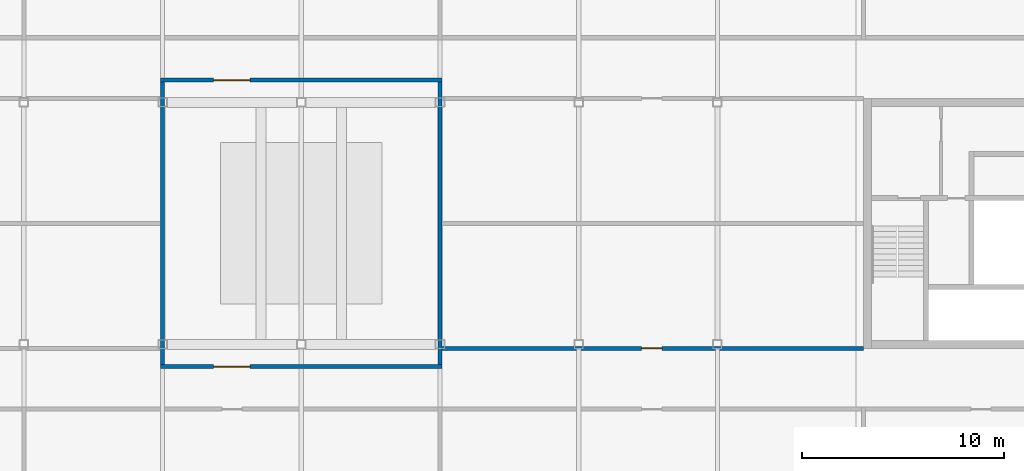
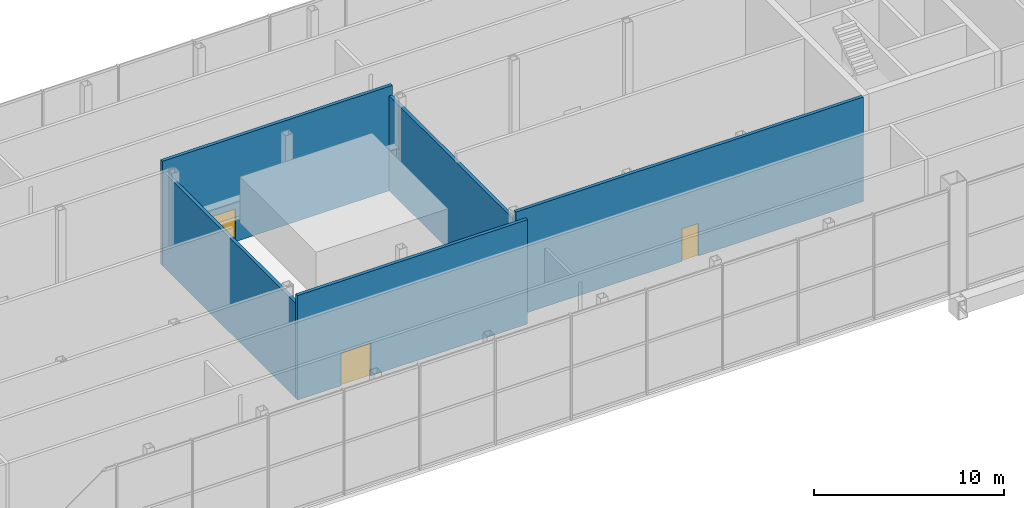
# One storey, part 21 of 27: 5 walls, 3 doors, 3 openings.
"""IFC4 building model written with IfcOpenShell, lengths in metres."""

from ifc_helpers import new_model, si_unit, direction, frame, frame_2d, origin, place, context, subcontext, project, spatial, rectangle, extrude, material, layer, layer_set, type_object, element, fill, save


model = new_model("IFC4")

# Units and contexts
model_context = context("Model", 3, precision=1e-05, world=origin(), true_north=direction((0.0, 1.0)))
body_context = subcontext(model_context, "Body", "Model", "MODEL_VIEW")
ifc_project = project(units=[si_unit("LENGTHUNIT", "METRE"), si_unit("AREAUNIT", "SQUARE_METRE"), si_unit("VOLUMEUNIT", "CUBIC_METRE"), si_unit("PLANEANGLEUNIT", "RADIAN"), si_unit("MASSUNIT", "GRAM", prefix="KILO")], contexts=[model_context])

# Site, building, storey
site_placement = place(None, origin())
site = spatial("IfcSite", under=ifc_project, at=site_placement, CompositionType="ELEMENT")
building_placement = place(site_placement, origin())
building = spatial("IfcBuilding", under=site, at=building_placement, Name="Tuart Gate Housing", CompositionType="ELEMENT")
storey_placement = place(building_placement, frame((0.0, 0.0, 236.89990234375)))
storey = spatial("IfcBuildingStorey", under=building, at=storey_placement, Name="L67", CompositionType="ELEMENT", Elevation=236.89990234375)

# Wall, opening, door
ifc_material_1 = material(Name="Concrete masonry 15 MPa", Category="masonry")
ifc_layer = layer(ifc_material_1, 0.199951171875)
ifc_layer_set = layer_set([ifc_layer], Name="Enclosure wall masonry 200")
wall_type = type_object("IfcWallType", Name="Enclosure wall masonry 200", PredefinedType="PARTITIONING", material=ifc_layer_set)
wall_1_placement = place(storey_placement, frame((96.52490234375, 62.89990234375, 0.0), z_axis=(0.0, 0.0, 1.0), x_axis=(1.0, 0.0, 0.0)))
wall_1 = element("IfcWall", 1, at=wall_1_placement, inside=storey, type_object=wall_type, Name="Enclosure wall masonry 200", PredefinedType="PARTITIONING", context=body_context, shape_type="SweptSolid", body=[
    extrude(rectangle(XDim=13.9501953125, YDim=0.199951171875, at=frame_2d((6.97509765625, 0.0))), origin(), (0.0, 0.0, 1.0), 6.7001953125),
])
opening_1_placement = place(wall_1_placement, frame((2.635009765625, 0.0, 0.0)))
opening_1 = element("IfcOpeningElement", 2, at=opening_1_placement, cuts=wall_1, Name="Opening D311", PredefinedType="OPENING", context=body_context, shape_type="SweptSolid", body=[
    extrude(rectangle(XDim=1.800048828125, YDim=2.10009765625, at=frame_2d((0.89990234375, 1.050048828125))), frame((0.0, 0.10986328125, 0.0), z_axis=(0.0, -1.0, 0.0), x_axis=(1.0, 0.0, 0.0)), (0.0, 0.0, 1.0), 0.219970703125),
])
ifc_material_2 = material(Name="Timber door leaf in steel frame", Category="steel")
door_type_1 = type_object("IfcDoorType", Name="Double door 1800", OperationType="DOUBLE_DOOR_SINGLE_SWING", PredefinedType="DOOR", material=ifc_material_2)
door_1_placement = place(opening_1_placement, origin())
door_1 = element("IfcDoor", 3, at=door_1_placement, inside=storey, type_object=door_type_1, Name="Double door 1800", OperationType="DOUBLE_DOOR_SINGLE_SWING", OverallHeight=2.10009765625, OverallWidth=1.800048828125, PredefinedType="DOOR", context=body_context, shape_type="SweptSolid", body=[
    extrude(rectangle(XDim=1.800048828125, YDim=2.10009765625, at=frame_2d((0.89990234375, 1.050048828125))), frame((0.0, 0.02490234375, 0.0), z_axis=(0.0, -1.0, 0.0), x_axis=(1.0, 0.0, 0.0)), (0.0, 0.0, 1.0), 0.050048828125),
])
fill(opening_1, door_1)

wall_2_placement = place(storey_placement, frame((110.27490234375, 63.800048828125, 0.0), z_axis=(0.0, 0.0, 1.0), x_axis=(1.0, 0.0, 0.0)))
wall_2 = element("IfcWall", 4, at=wall_2_placement, inside=storey, type_object=wall_type, Name="Enclosure wall masonry 200", PredefinedType="PARTITIONING", context=body_context, shape_type="SweptSolid", body=[
    extrude(rectangle(XDim=21.085205078125, YDim=0.199951171875, at=frame_2d((10.54248046875, 0.0))), origin(), (0.0, 0.0, 1.0), 6.7001953125),
])
opening_2_placement = place(wall_2_placement, frame((10.093017578125, 0.0, 0.0)))
opening_2 = element("IfcOpeningElement", 5, at=opening_2_placement, cuts=wall_2, Name="Opening D310", PredefinedType="OPENING", context=body_context, shape_type="SweptSolid", body=[
    extrude(rectangle(XDim=1.0, YDim=2.10009765625, at=frame_2d((0.5, 1.050048828125))), frame((0.0, 0.10986328125, 0.0), z_axis=(0.0, -1.0, 0.0), x_axis=(1.0, 0.0, 0.0)), (0.0, 0.0, 1.0), 0.219970703125),
])
ifc_material_3 = material(Name="Timber door leaf in steel frame", Category="steel")
door_type_2 = type_object("IfcDoorType", Name="Fire door 1000 RH", OperationType="SINGLE_SWING_RIGHT", PredefinedType="DOOR", material=ifc_material_3)
door_2_placement = place(opening_2_placement, origin())
door_2 = element("IfcDoor", 6, at=door_2_placement, inside=storey, type_object=door_type_2, Name="Fire door 1000", OperationType="SINGLE_SWING_RIGHT", OverallHeight=2.10009765625, OverallWidth=1.0, PredefinedType="DOOR", context=body_context, shape_type="SweptSolid", body=[
    extrude(rectangle(XDim=1.0, YDim=2.10009765625, at=frame_2d((0.5, 1.050048828125))), frame((0.0, 0.02490234375, 0.0), z_axis=(0.0, -1.0, 0.0), x_axis=(1.0, 0.0, 0.0)), (0.0, 0.0, 1.0), 0.050048828125),
])
fill(opening_2, door_2)

wall_3_placement = place(storey_placement, frame((96.52490234375, 77.10009765625, 0.0), z_axis=(0.0, 0.0, 1.0), x_axis=(1.0, 0.0, 0.0)))
wall_3 = element("IfcWall", 7, at=wall_3_placement, inside=storey, type_object=wall_type, Name="Enclosure wall masonry 200", PredefinedType="PARTITIONING", context=body_context, shape_type="SweptSolid", body=[
    extrude(rectangle(XDim=13.9501953125, YDim=0.199951171875, at=frame_2d((6.97509765625, 0.0))), origin(), (0.0, 0.0, 1.0), 6.7001953125),
])
opening_3_placement = place(wall_3_placement, frame((2.635009765625, 0.0, 0.0)))
opening_3 = element("IfcOpeningElement", 8, at=opening_3_placement, cuts=wall_3, Name="Opening D306", PredefinedType="OPENING", context=body_context, shape_type="SweptSolid", body=[
    extrude(rectangle(XDim=1.800048828125, YDim=2.10009765625, at=frame_2d((0.89990234375, 1.050048828125))), frame((0.0, 0.10986328125, 0.0), z_axis=(0.0, -1.0, 0.0), x_axis=(1.0, 0.0, 0.0)), (0.0, 0.0, 1.0), 0.219970703125),
])
door_3_placement = place(opening_3_placement, frame((1.800048828125, 0.0, 0.0), z_axis=(0.0, 0.0, 1.0), x_axis=(-1.0, 0.0, 0.0)))
door_3 = element("IfcDoor", 9, at=door_3_placement, inside=storey, type_object=door_type_1, Name="Double door 1800", OperationType="DOUBLE_DOOR_SINGLE_SWING", OverallHeight=2.10009765625, OverallWidth=1.800048828125, PredefinedType="DOOR", context=body_context, shape_type="SweptSolid", body=[
    extrude(rectangle(XDim=1.800048828125, YDim=2.10009765625, at=frame_2d((0.900146484375, 1.050048828125))), frame((0.0, 0.025146484375, 0.0), z_axis=(0.0, -1.0, 0.0), x_axis=(1.0, 0.0, 0.0)), (0.0, 0.0, 1.0), 0.050048828125),
])
fill(opening_3, door_3)

# Walls
for number, where, z_axis, x_axis, name in (
    (10, (96.625, 62.800048828125, 0.0), (0.0, 0.0, 1.0), (0.0, 1.0, 0.0), "Enclosure wall masonry 200"),
    (11, (110.375, 62.800048828125, 0.0), (0.0, 0.0, 1.0), (0.0, 1.0, 0.0), "Enclosure wall masonry 200"),
):
    element("IfcWall", number, at=place(storey_placement, frame(where, z_axis=z_axis, x_axis=x_axis)), inside=storey, type_object=wall_type, Name=name, PredefinedType="PARTITIONING", context=body_context, shape_type="SweptSolid", body=[
        extrude(rectangle(XDim=14.39990234375, YDim=0.199951171875, at=frame_2d((7.199951171875, 0.0))), origin(), (0.0, 0.0, 1.0), 6.088134765625),
    ])

save(model, "model.ifc")
